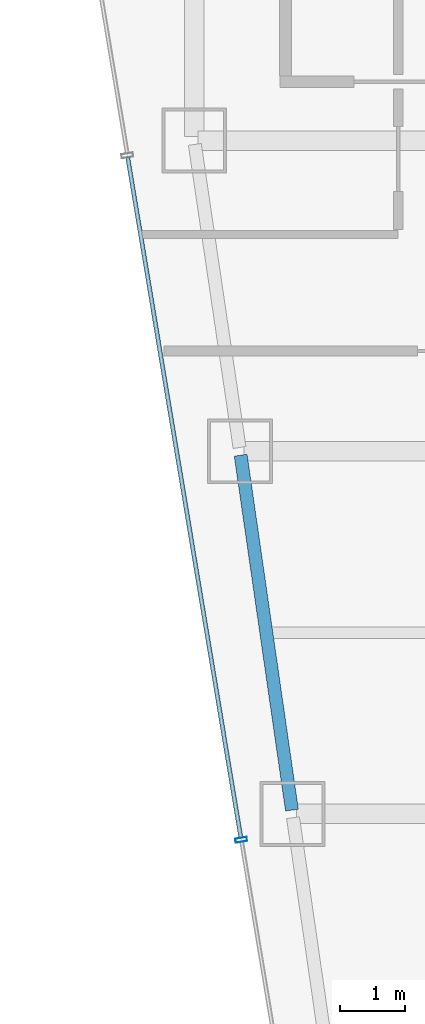
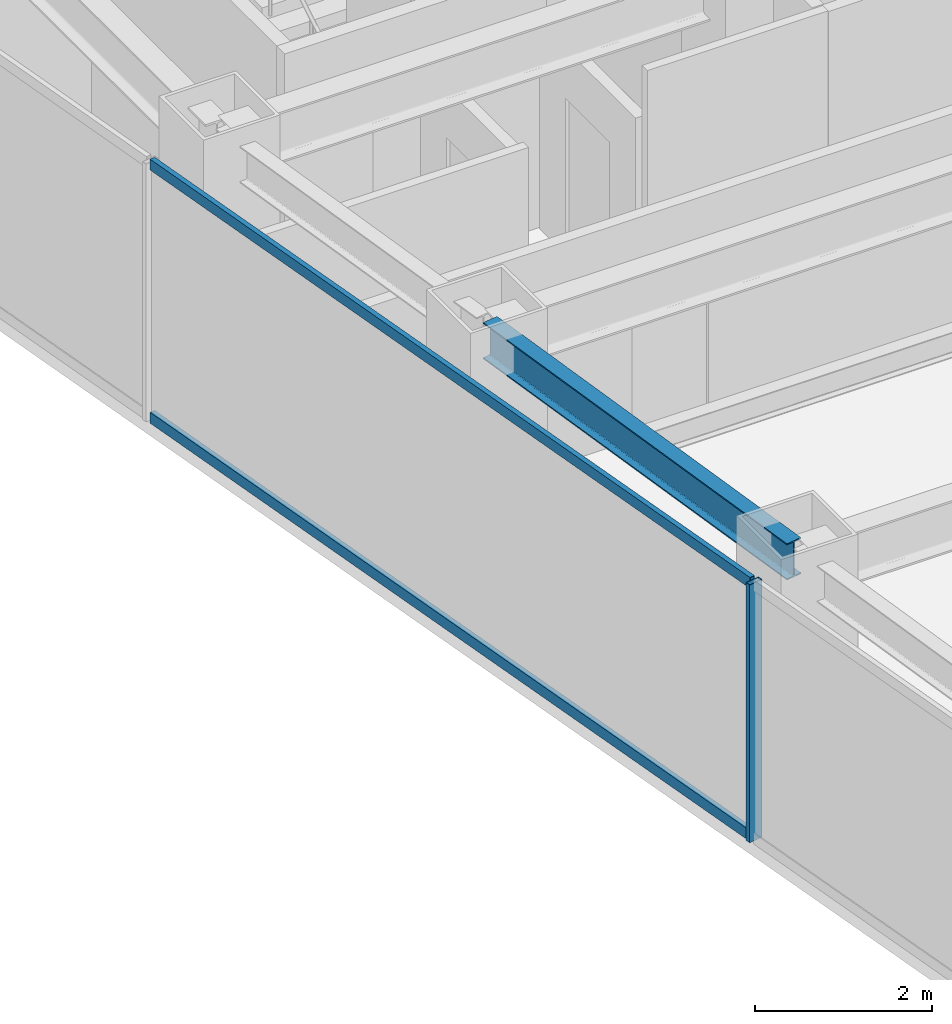
# One storey, part 9 of 36: 3 members, 1 beam, 1 element without a shape of its own.
"""IFC4 building model written with IfcOpenShell, lengths in metres."""

from ifc_helpers import new_model, si_unit, direction, frame, origin, origin_2d, place, context, subcontext, project, spatial, hollow_rectangle, i_section, extrude, material, material_profile, profile_set, type_object, element, aggregate, save


model = new_model("IFC4")

# Units and contexts
model_context = context("Model", 3, precision=1e-05, world=origin(), true_north=direction((0.0, 1.0)))
body_context = subcontext(model_context, "Body", "Model", "MODEL_VIEW")
ifc_project = project(units=[si_unit("LENGTHUNIT", "METRE"), si_unit("AREAUNIT", "SQUARE_METRE"), si_unit("VOLUMEUNIT", "CUBIC_METRE"), si_unit("PLANEANGLEUNIT", "RADIAN"), si_unit("MASSUNIT", "GRAM", prefix="KILO")], contexts=[model_context])

# Site, building, storey
site_placement = place(None, origin())
site = spatial("IfcSite", under=ifc_project, at=site_placement, CompositionType="ELEMENT")
building_placement = place(site_placement, origin())
building = spatial("IfcBuilding", under=site, at=building_placement, Name="Saevonmaru Cultural Tower", CompositionType="ELEMENT")
storey_placement = place(building_placement, frame((0.0, 0.0, 148.60009765625)))
storey = spatial("IfcBuildingStorey", under=building, at=storey_placement, Name="L32", CompositionType="ELEMENT", Elevation=148.60009765625)

# Beam
ifc_material_1 = material(Name="Steel SM355", Category="steel")
ifc_material_profile_1 = material_profile(ifc_material_1, i_section(OverallWidth=0.199951171875, OverallDepth=0.5, WebThickness=0.010009765625, FlangeThickness=0.01611328125, FilletRadius=0.02001953125, at=origin_2d()), Name="H-500x200x10x16")
ifc_profile_set_1 = profile_set([ifc_material_profile_1], Name="Steel SM355")
beam_type = type_object("IfcBeamType", Name="BM-SP-H500", PredefinedType="SPANDREL", material=ifc_profile_set_1)
beam_placement = place(storey_placement, frame((8.308349609375, 32.059326171875, 3.2998046875), z_axis=(-0.142964121327, 0.989727871697, 0.0), x_axis=(-0.989727871697, -0.142964121327, 0.0)))
element("IfcBeam", 1, at=beam_placement, inside=storey, type_object=beam_type, Name="L32 West Splayed Spandrel 4", PredefinedType="SPANDREL", context=body_context, shape_type="SweptSolid", body=[
    extrude(i_section(OverallWidth=0.199951171875, OverallDepth=0.5, WebThickness=0.010009765625, FlangeThickness=0.01611328125, FilletRadius=0.02001953125, at=origin_2d()), origin(), (0.0, 0.0, 1.0), 5.5380859375),
])

# Curtain wall, members
ifc_material_2 = material(Name="Satin Bronze Anodised Aluminium", Category="aluminium")
curtain_wall_type = type_object("IfcCurtainWallType", Name="CW-TYP-A", PredefinedType="NOTDEFINED", material=ifc_material_2)
curtain_wall_placement = place(storey_placement, origin())
curtain_wall = element("IfcCurtainWall", 2, at=curtain_wall_placement, inside=storey, type_object=curtain_wall_type, Name="L32 Unitised Curtain Wall E12", PredefinedType="NOTDEFINED")
ifc_material_profile_2 = material_profile(ifc_material_2, hollow_rectangle(XDim=0.06494140625, YDim=0.179931640625, WallThickness=0.00390625, at=origin_2d()), Name="ALU-MULL-180x65x4")
ifc_profile_set_2 = profile_set([ifc_material_profile_2], Name="Satin Bronze Anodised Aluminium")
member_type_1 = type_object("IfcMemberType", Name="ML-CW-180x65", PredefinedType="MULLION", material=ifc_profile_set_2)
member_1_placement = place(storey_placement, frame((7.5244140625, 31.60009765625, 0.0), z_axis=(0.0, 0.0, 1.0), x_axis=(0.163998702345, -0.986460554523, 0.0)))
member_1 = element("IfcMember", 3, at=member_1_placement, type_object=member_type_1, Name="CW-TW-L32-E12 mullion 3", PredefinedType="MULLION", context=body_context, shape_type="SweptSolid", body=[
    extrude(hollow_rectangle(XDim=0.06494140625, YDim=0.179931640625, WallThickness=0.00390625, at=origin_2d()), origin(), (0.0, 0.0, 1.0), 3.5498046875),
])
ifc_material_profile_3 = material_profile(ifc_material_2, hollow_rectangle(XDim=0.06494140625, YDim=0.14990234375, WallThickness=0.00390625, at=origin_2d()), Name="ALU-TRAN-150x65x4")
ifc_profile_set_3 = profile_set([ifc_material_profile_3], Name="Satin Bronze Anodised Aluminium")
member_type_2 = type_object("IfcMemberType", Name="TR-CW-150x65", PredefinedType="USERDEFINED", material=ifc_profile_set_3)
member_2_placement = place(storey_placement, frame((5.7724609375, 42.138427734375, 0.032470703125), z_axis=(0.163990079074, -0.9864619881, 0.0), x_axis=(0.9864619881, 0.163990079074, 0.0)))
member_2 = element("IfcMember", 4, at=member_2_placement, type_object=member_type_2, Name="CW-TW-L32-E12 transom 2.1", ObjectType="TRANSOM", PredefinedType="USERDEFINED", context=body_context, shape_type="SweptSolid", body=[
    extrude(hollow_rectangle(XDim=0.06494140625, YDim=0.14990234375, WallThickness=0.00390625, at=origin_2d()), origin(), (0.0, 0.0, 1.0), 10.650634765625),
])
member_3_placement = place(storey_placement, frame((5.7724609375, 42.138427734375, 3.517333984375), z_axis=(0.163990079074, -0.9864619881, 0.0), x_axis=(0.9864619881, 0.163990079074, 0.0)))
member_3 = element("IfcMember", 5, at=member_3_placement, type_object=member_type_2, Name="CW-TW-L32-E12 transom 2.2", ObjectType="TRANSOM", PredefinedType="USERDEFINED", context=body_context, shape_type="SweptSolid", body=[
    extrude(hollow_rectangle(XDim=0.06494140625, YDim=0.14990234375, WallThickness=0.00390625, at=origin_2d()), origin(), (0.0, 0.0, 1.0), 10.650634765625),
])
aggregate(curtain_wall, [member_1, member_2, member_3])

save(model, "model.ifc")
